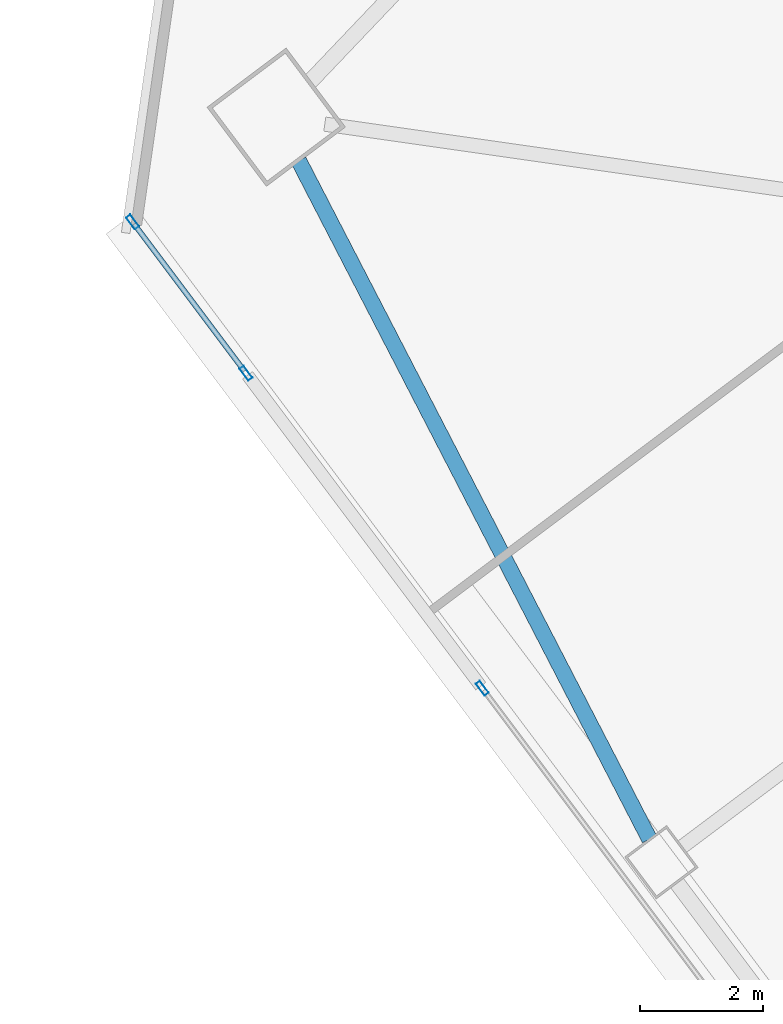
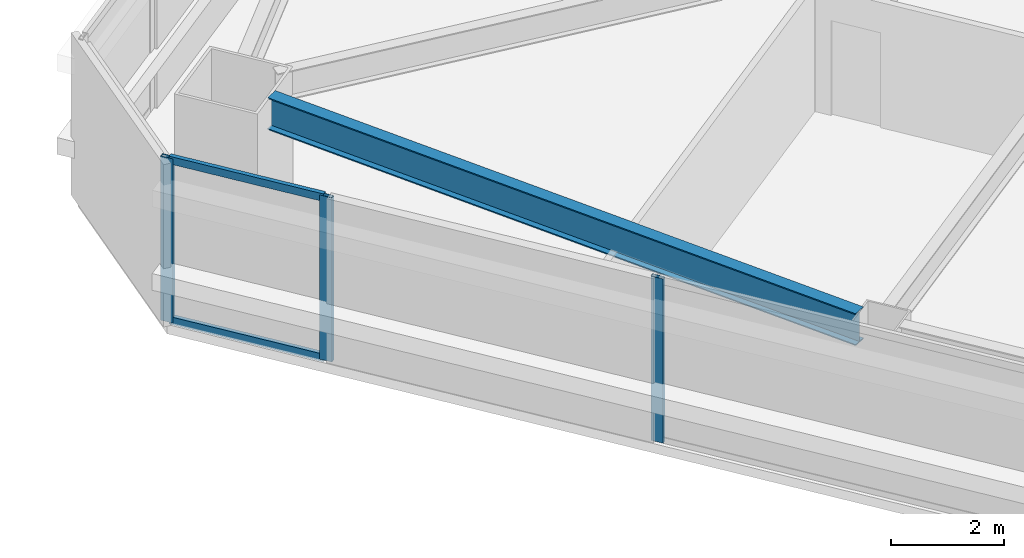
# One storey, part 23 of 51: 5 members, 1 beam, 2 elements without a shape of their own.
"""IFC4 building model written with IfcOpenShell, lengths in metres."""

from ifc_helpers import new_model, si_unit, direction, frame, origin, origin_2d, place, context, subcontext, project, spatial, hollow_rectangle, i_section, extrude, material, material_profile, profile_set, type_object, element, aggregate, save


model = new_model("IFC4")

# Units and contexts
model_context = context("Model", 3, precision=1e-05, world=origin(), true_north=direction((0.0, 1.0)))
body_context = subcontext(model_context, "Body", "Model", "MODEL_VIEW")
ifc_project = project(units=[si_unit("LENGTHUNIT", "METRE"), si_unit("AREAUNIT", "SQUARE_METRE"), si_unit("VOLUMEUNIT", "CUBIC_METRE"), si_unit("PLANEANGLEUNIT", "RADIAN"), si_unit("MASSUNIT", "GRAM", prefix="KILO")], contexts=[model_context])

# Site, building, storey
site_placement = place(None, origin())
site = spatial("IfcSite", under=ifc_project, at=site_placement, CompositionType="ELEMENT")
building_placement = place(site_placement, origin())
building = spatial("IfcBuilding", under=site, at=building_placement, Name="Tashvorn Skyway Center", CompositionType="ELEMENT")
storey_placement = place(building_placement, frame((0.0, 0.0, 49.449951171875)))
storey = spatial("IfcBuildingStorey", under=building, at=storey_placement, Name="L12", CompositionType="ELEMENT", Elevation=49.449951171875)

# Beam
ifc_material_1 = material(Name="Steel ASTM A992 Grade 50", Category="steel")
ifc_material_profile_1 = material_profile(ifc_material_1, i_section(OverallWidth=0.256103515625, OverallDepth=0.693115234375, WebThickness=0.014404296875, FlangeThickness=0.023681640625, at=origin_2d()), Name="W27X114")
ifc_profile_set_1 = profile_set([ifc_material_profile_1], Name="Steel ASTM A992 Grade 50")
beam_type = type_object("IfcBeamType", Name="BM-SPANDREL-W27X114", PredefinedType="SPANDREL", material=ifc_profile_set_1)
beam_placement = place(storey_placement, frame((88.045166015625, 35.0537109375, 3.003662109375), z_axis=(0.459233413919, -0.888315637339, 0.0), x_axis=(0.888315637339, 0.459233413919, 0.0)))
element("IfcBeam", 1, at=beam_placement, inside=storey, type_object=beam_type, Name="Tower 2 L12 Spandrel Beam 10", PredefinedType="SPANDREL", context=body_context, shape_type="SweptSolid", body=[
    extrude(i_section(OverallWidth=0.256103515625, OverallDepth=0.693115234375, WebThickness=0.014404296875, FlangeThickness=0.023681640625, at=origin_2d()), origin(), (0.0, 0.0, 1.0), 12.37255859375),
])

# Curtain wall, member
ifc_material_2 = material(Name="Thermally broken bronze-anodized aluminium 6063-T6", Category="aluminium")
curtain_wall_type = type_object("IfcCurtainWallType", Name="CW-CW-Z1", PredefinedType="NOTDEFINED", material=ifc_material_2)
curtain_wall_1_placement = place(storey_placement, origin())
curtain_wall_1 = element("IfcCurtainWall", 2, at=curtain_wall_1_placement, inside=storey, type_object=curtain_wall_type, Name="Tower 2 L12 West Unitised Curtain Wall Glazing Group 2", PredefinedType="NOTDEFINED")
ifc_material_profile_2 = material_profile(ifc_material_2, hollow_rectangle(XDim=0.0849609375, YDim=0.239990234375, WallThickness=0.0048828125, at=origin_2d()), Name="ALU-MULL-85x240")
ifc_profile_set_2 = profile_set([ifc_material_profile_2], Name="Thermally broken bronze-anodized aluminium 6063-T6")
member_type_1 = type_object("IfcMemberType", Name="CWM-CW-Z1", PredefinedType="MULLION", material=ifc_profile_set_2)
member_1_placement = place(storey_placement, frame((91.017578125, 26.510009765625, 0.0), z_axis=(0.0, 0.0, 1.0), x_axis=(-0.799999999998, -0.600000000002, 0.0)))
member_1 = element("IfcMember", 3, at=member_1_placement, type_object=member_type_1, Name="CW-Z1 mullion 3", PredefinedType="MULLION", context=body_context, shape_type="SweptSolid", body=[
    extrude(hollow_rectangle(XDim=0.0849609375, YDim=0.239990234375, WallThickness=0.0048828125, at=origin_2d()), origin(), (0.0, 0.0, 1.0), 3.550048828125),
])
aggregate(curtain_wall_1, [member_1])

# Curtain wall, members
curtain_wall_2_placement = place(storey_placement, origin())
curtain_wall_2 = element("IfcCurtainWall", 4, at=curtain_wall_2_placement, inside=storey, type_object=curtain_wall_type, Name="Tower 2 L12 West Unitised Curtain Wall Glazing Group 3", PredefinedType="NOTDEFINED")
member_2_placement = place(storey_placement, frame((87.1904296875, 31.61279296875, 0.0), z_axis=(0.0, 0.0, 1.0), x_axis=(-0.799996186392, -0.600005084776, 0.0)))
member_2 = element("IfcMember", 5, at=member_2_placement, type_object=member_type_1, Name="CW-Z1 mullion 1", PredefinedType="MULLION", context=body_context, shape_type="SweptSolid", body=[
    extrude(hollow_rectangle(XDim=0.0849609375, YDim=0.239990234375, WallThickness=0.0048828125, at=origin_2d()), origin(), (0.0, 0.0, 1.0), 3.550048828125),
])
member_3_placement = place(storey_placement, frame((85.353515625, 34.06201171875, 0.0), z_axis=(0.0, 0.0, 1.0), x_axis=(-0.799996186392, -0.600005084776, 0.0)))
member_3 = element("IfcMember", 6, at=member_3_placement, type_object=member_type_1, Name="CW-Z1 mullion 2", PredefinedType="MULLION", context=body_context, shape_type="SweptSolid", body=[
    extrude(hollow_rectangle(XDim=0.0849609375, YDim=0.239990234375, WallThickness=0.0048828125, at=origin_2d()), origin(), (0.0, 0.0, 1.0), 3.550048828125),
])
ifc_material_profile_3 = material_profile(ifc_material_2, hollow_rectangle(XDim=0.0849609375, YDim=0.1650390625, WallThickness=0.0048828125, at=origin_2d()), Name="ALU-TRAN-85x165")
ifc_profile_set_3 = profile_set([ifc_material_profile_3], Name="Thermally broken bronze-anodized aluminium 6063-T6")
member_type_2 = type_object("IfcMemberType", Name="CWT-CW-Z1", PredefinedType="USERDEFINED", material=ifc_profile_set_3)
member_4_placement = place(storey_placement, frame((87.1650390625, 31.646728515625, 0.04248046875), z_axis=(-0.600026244674, 0.799980315822, 0.0), x_axis=(-0.799980315822, -0.600026244674, 0.0)))
member_4 = element("IfcMember", 7, at=member_4_placement, type_object=member_type_2, Name="CW-Z1 transom 1.1", ObjectType="TRANSOM", PredefinedType="USERDEFINED", context=body_context, shape_type="SweptSolid", body=[
    extrude(hollow_rectangle(XDim=0.0849609375, YDim=0.1650390625, WallThickness=0.0048828125, at=origin_2d()), origin(), (0.0, 0.0, 1.0), 2.976806640625),
])
member_5_placement = place(storey_placement, frame((87.1650390625, 31.646728515625, 3.507568359375), z_axis=(-0.600026244674, 0.799980315822, 0.0), x_axis=(-0.799980315822, -0.600026244674, 0.0)))
member_5 = element("IfcMember", 8, at=member_5_placement, type_object=member_type_2, Name="CW-Z1 transom 1.2", ObjectType="TRANSOM", PredefinedType="USERDEFINED", context=body_context, shape_type="SweptSolid", body=[
    extrude(hollow_rectangle(XDim=0.0849609375, YDim=0.1650390625, WallThickness=0.0048828125, at=origin_2d()), origin(), (0.0, 0.0, 1.0), 2.976806640625),
])
aggregate(curtain_wall_2, [member_2, member_3, member_4, member_5])

save(model, "model.ifc")
